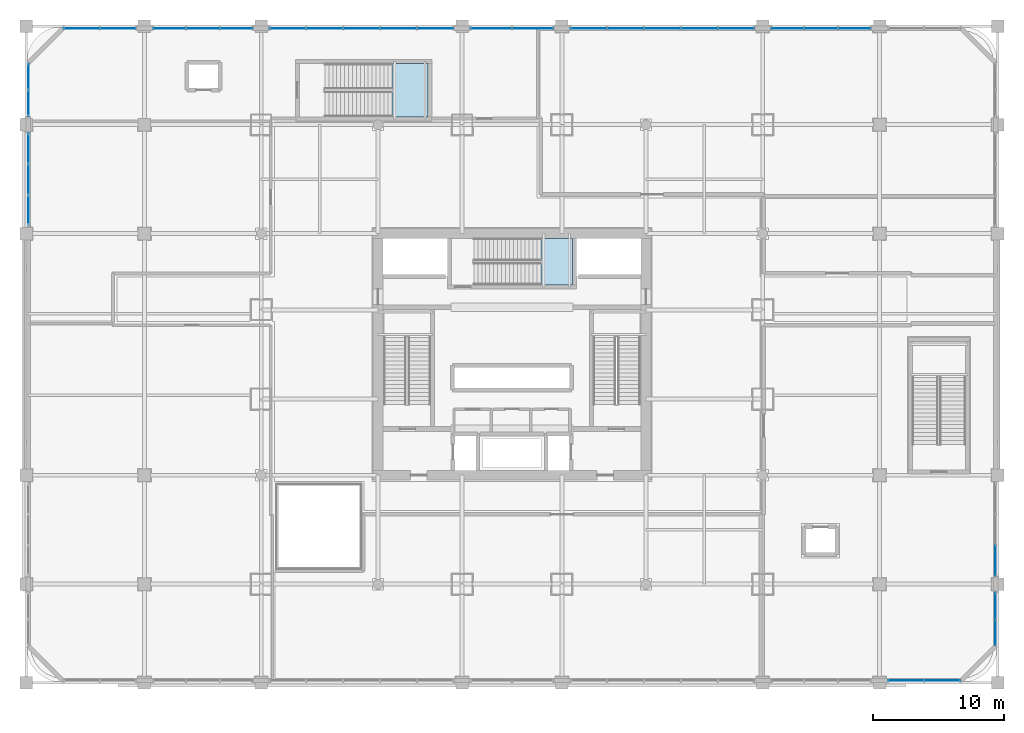
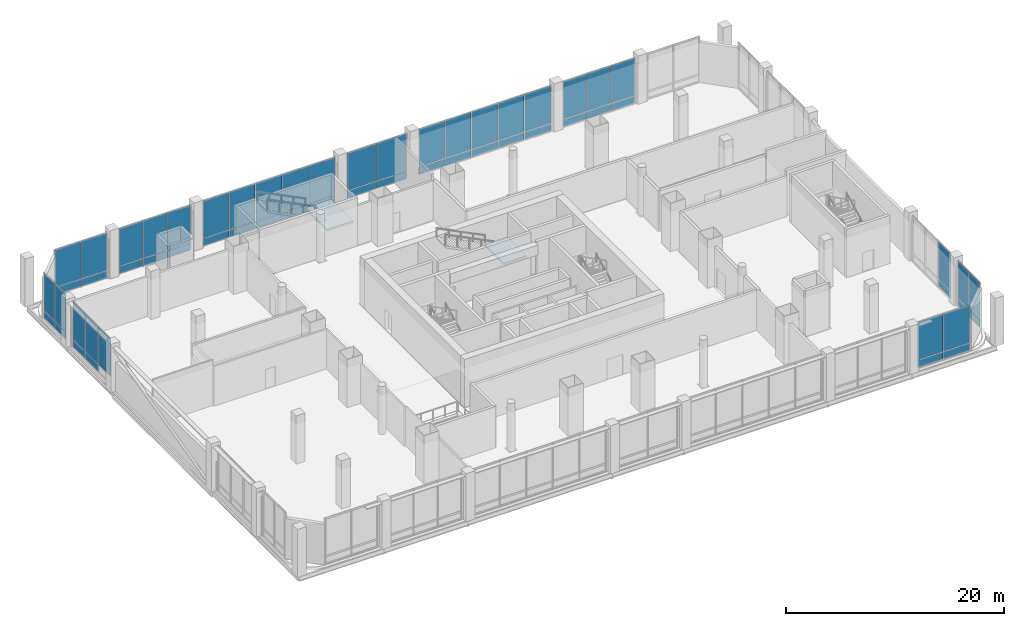
# One storey, part 23 of 39: 59 plates, 2 slabs, 13 elements without a shape of their own.
"""IFC4 building model written with IfcOpenShell, lengths in metres."""

import ifcopenshell
import ifcopenshell.guid

model = None  # the IFC model being written
_history = None  # IfcOwnerHistory: only IFC2X3 demands one
_inside = {}  # id of a spatial element -> (the spatial element, [elements in it])
_under = {}  # id of a project, library or spatial element -> (it, [spatial elements below it])
_declared = {}  # id of a project -> (the project, [libraries it declares])
_typed = {}  # id of a type object -> (the type object, [elements of that type])
_made_of = {}  # id of a material, layer set ... -> (it, [elements and type objects made of it])


def new_model(schema):
    """Start an empty IFC model of exactly this schema.

    Asked for "IFC4X3", IfcOpenShell would pick the latest addendum, in which some entities
    have other attributes; the version numbers below select the first issue.
    IFC2X3 requires an IfcOwnerHistory on every rooted entity: one is made here for all.
    """
    global model, _history
    if schema == "IFC4X3":
        model = ifcopenshell.file(schema_version=(4, 3, 0, 0))
    else:
        model = ifcopenshell.file(schema=schema)
    _inside.clear()
    _under.clear()
    _declared.clear()
    _typed.clear()
    _made_of.clear()
    _history = None
    if model.schema == "IFC2X3":
        org = make("IfcOrganization", Name="unknown")
        user = make(
            "IfcPersonAndOrganization",
            ThePerson=make("IfcPerson", FamilyName="unknown"),
            TheOrganization=org,
        )
        app = make(
            "IfcApplication",
            ApplicationDeveloper=org,
            Version="unknown",
            ApplicationFullName="unknown",
            ApplicationIdentifier="unknown",
        )
        _history = make(
            "IfcOwnerHistory",
            OwningUser=user,
            OwningApplication=app,
            ChangeAction="ADDED",
            CreationDate=0,
        )
    return model


def make(cls, **values):
    """One entity of the class cls with the attributes given. An attribute that is None is left unset."""
    return model.create_entity(
        cls, **{name: value for name, value in values.items() if value is not None}
    )


def rooted(cls, **values):
    """An entity with a GlobalId (a new one), such as an element, a storey or a relation."""
    return make(cls, GlobalId=ifcopenshell.guid.new(), OwnerHistory=_history, **values)


def si_unit(unit_type, name, prefix=None):
    """IfcSIUnit, for example si_unit("LENGTHUNIT", "METRE", prefix="MILLI")."""
    return make("IfcSIUnit", UnitType=unit_type, Prefix=prefix, Name=name)


def assignment(units):
    """IfcUnitAssignment: the units of a project."""
    return None if units is None else make("IfcUnitAssignment", Units=units)


def point(xyz):
    """IfcCartesianPoint."""
    return None if xyz is None else make("IfcCartesianPoint", Coordinates=xyz)


def direction(xyz):
    """IfcDirection."""
    return None if xyz is None else make("IfcDirection", DirectionRatios=xyz)


def frame(location, z_axis=None, x_axis=None):
    """IfcAxis2Placement3D, a coordinate frame: its origin and axes. An axis left out is left unset."""
    return make(
        "IfcAxis2Placement3D",
        Location=point(location),
        Axis=direction(z_axis),
        RefDirection=direction(x_axis),
    )


def frame_2d(location, x_axis=None):
    """IfcAxis2Placement2D, a coordinate frame in the plane: its origin and x axis."""
    return make(
        "IfcAxis2Placement2D", Location=point(location), RefDirection=direction(x_axis)
    )


def origin():
    """The frame at (0, 0, 0) with its axes left unset."""
    return frame((0.0, 0.0, 0.0))


def origin_2d():
    """The frame at (0, 0) in the plane with its x axis left unset."""
    return frame_2d((0.0, 0.0))


def place(relative_to, where):
    """IfcLocalPlacement: puts the frame where relative to a parent placement (None: the world)."""
    return make(
        "IfcLocalPlacement", PlacementRelTo=relative_to, RelativePlacement=where
    )


def context(
    kind, dimensions, precision=None, world=None, true_north=None, identifier=None
):
    """IfcGeometricRepresentationContext, for example the 3D "Model" context."""
    return make(
        "IfcGeometricRepresentationContext",
        ContextIdentifier=identifier,
        ContextType=kind,
        CoordinateSpaceDimension=dimensions,
        Precision=precision,
        WorldCoordinateSystem=world,
        TrueNorth=true_north,
    )


def subcontext(parent, identifier, kind, view, scale=None):
    """IfcGeometricRepresentationSubContext, for example "Body" below "Model"."""
    return make(
        "IfcGeometricRepresentationSubContext",
        ContextIdentifier=identifier,
        ContextType=kind,
        ParentContext=parent,
        TargetScale=scale,
        TargetView=view,
    )


def project(units=None, contexts=None):
    """IfcProject with its units and contexts."""
    return rooted(
        "IfcProject",
        Name="project",
        RepresentationContexts=contexts,
        UnitsInContext=assignment(units),
    )


def spatial(cls, under=None, at=None, **own):
    """A site, building, storey or space (cls), placed at a placement, below another one or the project."""
    s = rooted(cls, ObjectPlacement=at, **own)
    if under is not None:
        _under.setdefault(under.id(), (under, []))[1].append(s)
    return s


def polyline(points):
    """IfcPolyline through the points."""
    return make("IfcPolyline", Points=[point(p) for p in points])


def profile(cls, at=None, kind="AREA", **sizes):
    """A parametric profile (cls). Its sizes go by their IFC names, for example OverallWidth=200.0."""
    return make(cls, ProfileType=kind, Position=at, **sizes)


def rectangle(**sizes):
    """IfcRectangleProfileDef."""
    return profile("IfcRectangleProfileDef", **sizes)


def outline(outer, holes=None, kind="AREA"):
    """IfcArbitraryClosedProfileDef: a profile drawn as a closed curve; with holes, ...WithVoids."""
    if holes is None:
        return make("IfcArbitraryClosedProfileDef", ProfileType=kind, OuterCurve=outer)
    return make(
        "IfcArbitraryProfileDefWithVoids",
        ProfileType=kind,
        OuterCurve=outer,
        InnerCurves=holes,
    )


def extrude(swept, where, along, depth):
    """IfcExtrudedAreaSolid: the profile swept, set in the frame where, extruded along a direction by depth."""
    return make(
        "IfcExtrudedAreaSolid",
        SweptArea=swept,
        Position=where,
        ExtrudedDirection=direction(along),
        Depth=depth,
    )


def shape(context_of_items, identifier, shape_type, items):
    """IfcShapeRepresentation: the items that make up one representation, for example the "Body"."""
    return make(
        "IfcShapeRepresentation",
        ContextOfItems=context_of_items,
        RepresentationIdentifier=identifier,
        RepresentationType=shape_type,
        Items=items,
    )


def material(Name=None, Category=None):
    """IfcMaterial."""
    return make("IfcMaterial", Name=Name, Category=Category)


def layer(
    of_material, thickness, ventilated=None, Name=None, Category=None, Priority=None
):
    """IfcMaterialLayer: one layer of a wall or slab, of a material (None: an air gap)."""
    return make(
        "IfcMaterialLayer",
        Material=of_material,
        LayerThickness=thickness,
        IsVentilated=ventilated,
        Name=Name,
        Category=Category,
        Priority=Priority,
    )


def layer_set(layers, Name=None):
    """IfcMaterialLayerSet."""
    return make("IfcMaterialLayerSet", MaterialLayers=layers, LayerSetName=Name)


def made_of(thing, what):
    """Note that an element or type object is made of a material, layer set ...; save() writes the relation."""
    if what is not None:
        _made_of.setdefault(what.id(), (what, []))[1].append(thing)
    return thing


def type_object(cls, material=None, **own):
    """A type object (cls), such as IfcWallType, which elements share."""
    return made_of(rooted(cls, **own), material)


def element(
    cls,
    number,
    at=None,
    inside=None,
    cuts=None,
    type_object=None,
    material=None,
    context=None,
    identifier="Body",
    shape_type=None,
    held_by="IfcProductDefinitionShape",
    body=None,
    shapes=None,
    **own,
):
    """One element of the class cls, such as IfcWall. Its Tag is "e" and its number.

    at: its placement. inside: the storey or other place that contains it. cuts: it is an
    opening in that element (IfcRelVoidsElement). A single representation is given by context,
    identifier, shape_type and body (its items); several are given by shapes. held_by: the class
    of the entity that holds the representations. save() writes the other relations.
    """
    e = rooted(cls, Tag="e%d" % number, ObjectPlacement=at, **own)
    if body is not None:
        shapes = [shape(context, identifier, shape_type, body)]
    if shapes is not None:
        e.Representation = make(held_by, Representations=shapes)
    if inside is not None:
        _inside.setdefault(inside.id(), (inside, []))[1].append(e)
    if cuts is not None:
        rooted(
            "IfcRelVoidsElement", RelatingBuildingElement=cuts, RelatedOpeningElement=e
        )
    if type_object is not None:
        _typed.setdefault(type_object.id(), (type_object, []))[1].append(e)
    return made_of(e, material)


def aggregate(whole, parts):
    """IfcRelAggregates: a whole, such as a stair, and the parts it consists of."""
    return rooted("IfcRelAggregates", RelatingObject=whole, RelatedObjects=parts)


def save(model, path):
    """Write the relations noted so far, then the file.

    IfcRelAggregates (storeys below a building ...), IfcRelContainedInSpatialStructure (elements
    in a storey), IfcRelDefinesByType, IfcRelAssociatesMaterial and IfcRelDeclares: one each for
    every whole, place, type object, material and project.
    """
    for whole, parts in _under.values():
        aggregate(whole, parts)
    for where, things in _inside.values():
        rooted(
            "IfcRelContainedInSpatialStructure",
            RelatedElements=things,
            RelatingStructure=where,
        )
    for kind, things in _typed.values():
        rooted("IfcRelDefinesByType", RelatedObjects=things, RelatingType=kind)
    for what, things in _made_of.values():
        rooted("IfcRelAssociatesMaterial", RelatedObjects=things, RelatingMaterial=what)
    for by, libraries in _declared.values():
        rooted("IfcRelDeclares", RelatingContext=by, RelatedDefinitions=libraries)
    model.write(path)


model = new_model("IFC4")

# Units and contexts
model_context = context("Model", 3, precision=1e-05, world=origin(), true_north=direction((0.0, 1.0)))
body_context = subcontext(model_context, "Body", "Model", "MODEL_VIEW")
ifc_project = project(units=[si_unit("LENGTHUNIT", "METRE"), si_unit("AREAUNIT", "SQUARE_METRE"), si_unit("VOLUMEUNIT", "CUBIC_METRE"), si_unit("PLANEANGLEUNIT", "RADIAN"), si_unit("MASSUNIT", "GRAM", prefix="KILO")], contexts=[model_context])

# Site, building, storey
site_placement = place(None, origin())
site = spatial("IfcSite", under=ifc_project, at=site_placement, CompositionType="ELEMENT")
building_placement = place(site_placement, origin())
building = spatial("IfcBuilding", under=site, at=building_placement, Name="Punatoya Terracotta Tower", CompositionType="ELEMENT")
storey_placement = place(building_placement, frame((0.0, 0.0, 11.39990234375)))
storey = spatial("IfcBuildingStorey", under=building, at=storey_placement, Name="L02", CompositionType="ELEMENT", Elevation=11.39990234375)

# Curtain wall, plates
ifc_material_1 = material(Name="Aluminium 6063-T6 + Double Low-E Glass", Category="aluminium")
curtain_wall_type = type_object("IfcCurtainWallType", Name="CW-POD", PredefinedType="NOTDEFINED", material=ifc_material_1)
curtain_wall_1_placement = place(storey_placement, origin())
curtain_wall_1 = element("IfcCurtainWall", 1, at=curtain_wall_1_placement, inside=storey, type_object=curtain_wall_type, Name="L02 Curtain Wall CWP-L02-N1", PredefinedType="NOTDEFINED")
ifc_material_2 = material(Name="Double Low-E Clear Vision Glass", Category="glass")
ifc_layer_1 = layer(ifc_material_2, 0.028076171875)
ifc_layer_set_1 = layer_set([ifc_layer_1], Name="Double Low-E Clear Vision Glass")
plate_type_1 = type_object("IfcPlateType", Name="PLT-GLZ-28", PredefinedType="CURTAIN_PANEL", material=ifc_layer_set_1)
plate_1_placement = place(storey_placement, frame((-30.014892578125, 24.840087890625, 0.89013671875), z_axis=(0.0, 0.0, 1.0), x_axis=(-1.0, 0.0, 0.0)))
plate_1 = element("IfcPlate", 2, at=plate_1_placement, type_object=plate_type_1, Name="CWP-L02-N1 Vision Glass Panel 1", PredefinedType="CURTAIN_PANEL", context=body_context, shape_type="SweptSolid", body=[
    extrude(rectangle(XDim=2.705078125, YDim=0.028076171875, at=origin_2d()), origin(), (0.0, 0.0, 1.0), 4.18994140625),
])
plate_2_placement = place(storey_placement, frame((-32.804931640625, 24.840087890625, 0.89013671875), z_axis=(0.0, 0.0, 1.0), x_axis=(-1.0, 0.0, 0.0)))
plate_2 = element("IfcPlate", 3, at=plate_2_placement, type_object=plate_type_1, Name="CWP-L02-N1 Vision Glass Panel 2", PredefinedType="CURTAIN_PANEL", context=body_context, shape_type="SweptSolid", body=[
    extrude(rectangle(XDim=2.705078125, YDim=0.028076171875, at=origin_2d()), origin(), (0.0, 0.0, 1.0), 4.18994140625),
])

curtain_wall_2_placement = place(storey_placement, origin())
curtain_wall_2 = element("IfcCurtainWall", 4, at=curtain_wall_2_placement, inside=storey, type_object=curtain_wall_type, Name="L02 Curtain Wall CWP-L02-N2", PredefinedType="NOTDEFINED")
plate_3_placement = place(storey_placement, frame((-20.99658203125, 24.840087890625, 0.89013671875), z_axis=(0.0, 0.0, 1.0), x_axis=(-1.0, 0.0, 0.0)))
plate_3 = element("IfcPlate", 5, at=plate_3_placement, type_object=plate_type_1, Name="CWP-L02-N2 Vision Glass Panel 1", PredefinedType="CURTAIN_PANEL", context=body_context, shape_type="SweptSolid", body=[
    extrude(rectangle(XDim=2.46826171875, YDim=0.028076171875, at=origin_2d()), origin(), (0.0, 0.0, 1.0), 4.18994140625),
])
plate_4_placement = place(storey_placement, frame((-23.550048828125, 24.840087890625, 0.89013671875), z_axis=(0.0, 0.0, 1.0), x_axis=(-1.0, 0.0, 0.0)))
plate_4 = element("IfcPlate", 6, at=plate_4_placement, type_object=plate_type_1, Name="CWP-L02-N2 Vision Glass Panel 2", PredefinedType="CURTAIN_PANEL", context=body_context, shape_type="SweptSolid", body=[
    extrude(rectangle(XDim=2.46826171875, YDim=0.028076171875, at=origin_2d()), origin(), (0.0, 0.0, 1.0), 4.18994140625),
])
plate_5_placement = place(storey_placement, frame((-26.103271484375, 24.840087890625, 0.89013671875), z_axis=(0.0, 0.0, 1.0), x_axis=(-1.0, 0.0, 0.0)))
plate_5 = element("IfcPlate", 7, at=plate_5_placement, type_object=plate_type_1, Name="CWP-L02-N2 Vision Glass Panel 3", PredefinedType="CURTAIN_PANEL", context=body_context, shape_type="SweptSolid", body=[
    extrude(rectangle(XDim=2.46826171875, YDim=0.028076171875, at=origin_2d()), origin(), (0.0, 0.0, 1.0), 4.18994140625),
])

curtain_wall_3_placement = place(storey_placement, origin())
curtain_wall_3 = element("IfcCurtainWall", 8, at=curtain_wall_3_placement, inside=storey, type_object=curtain_wall_type, Name="L02 Curtain Wall CWP-L02-N3", PredefinedType="NOTDEFINED")
plate_6_placement = place(storey_placement, frame((-5.825927734375, 24.840087890625, 0.89013671875), z_axis=(0.0, 0.0, 1.0), x_axis=(-1.0, 0.0, 0.0)))
plate_6 = element("IfcPlate", 9, at=plate_6_placement, type_object=plate_type_1, Name="CWP-L02-N3 Vision Glass Panel 1", PredefinedType="CURTAIN_PANEL", context=body_context, shape_type="SweptSolid", body=[
    extrude(rectangle(XDim=2.72705078125, YDim=0.028076171875, at=origin_2d()), origin(), (0.0, 0.0, 1.0), 4.18994140625),
])
plate_7_placement = place(storey_placement, frame((-8.637939453125, 24.840087890625, 0.89013671875), z_axis=(0.0, 0.0, 1.0), x_axis=(-1.0, 0.0, 0.0)))
plate_7 = element("IfcPlate", 10, at=plate_7_placement, type_object=plate_type_1, Name="CWP-L02-N3 Vision Glass Panel 2", PredefinedType="CURTAIN_PANEL", context=body_context, shape_type="SweptSolid", body=[
    extrude(rectangle(XDim=2.72705078125, YDim=0.028076171875, at=origin_2d()), origin(), (0.0, 0.0, 1.0), 4.18994140625),
])
plate_8_placement = place(storey_placement, frame((-11.449951171875, 24.840087890625, 0.89013671875), z_axis=(0.0, 0.0, 1.0), x_axis=(-1.0, 0.0, 0.0)))
plate_8 = element("IfcPlate", 11, at=plate_8_placement, type_object=plate_type_1, Name="CWP-L02-N3 Vision Glass Panel 3", PredefinedType="CURTAIN_PANEL", context=body_context, shape_type="SweptSolid", body=[
    extrude(rectangle(XDim=2.72705078125, YDim=0.028076171875, at=origin_2d()), origin(), (0.0, 0.0, 1.0), 4.18994140625),
])
plate_9_placement = place(storey_placement, frame((-14.261962890625, 24.840087890625, 0.89013671875), z_axis=(0.0, 0.0, 1.0), x_axis=(-1.0, 0.0, 0.0)))
plate_9 = element("IfcPlate", 12, at=plate_9_placement, type_object=plate_type_1, Name="CWP-L02-N3 Vision Glass Panel 4", PredefinedType="CURTAIN_PANEL", context=body_context, shape_type="SweptSolid", body=[
    extrude(rectangle(XDim=2.72705078125, YDim=0.028076171875, at=origin_2d()), origin(), (0.0, 0.0, 1.0), 4.18994140625),
])
plate_10_placement = place(storey_placement, frame((-17.073974609375, 24.840087890625, 0.89013671875), z_axis=(0.0, 0.0, 1.0), x_axis=(-1.0, 0.0, 0.0)))
plate_10 = element("IfcPlate", 13, at=plate_10_placement, type_object=plate_type_1, Name="CWP-L02-N3 Vision Glass Panel 5", PredefinedType="CURTAIN_PANEL", context=body_context, shape_type="SweptSolid", body=[
    extrude(rectangle(XDim=2.72705078125, YDim=0.028076171875, at=origin_2d()), origin(), (0.0, 0.0, 1.0), 4.18994140625),
])

curtain_wall_4_placement = place(storey_placement, origin())
curtain_wall_4 = element("IfcCurtainWall", 14, at=curtain_wall_4_placement, inside=storey, type_object=curtain_wall_type, Name="L02 Curtain Wall CWP-L02-N4", PredefinedType="NOTDEFINED")
plate_11_placement = place(storey_placement, frame((1.590087890625, 24.840087890625, 0.89013671875), z_axis=(0.0, 0.0, 1.0), x_axis=(-1.0, 0.0, 0.0)))
plate_11 = element("IfcPlate", 15, at=plate_11_placement, type_object=plate_type_1, Name="CWP-L02-N4 Vision Glass Panel 1", PredefinedType="CURTAIN_PANEL", context=body_context, shape_type="SweptSolid", body=[
    extrude(rectangle(XDim=3.094970703125, YDim=0.028076171875, at=origin_2d()), origin(), (0.0, 0.0, 1.0), 4.18994140625),
])
plate_12_placement = place(storey_placement, frame((-1.590087890625, 24.840087890625, 0.89013671875), z_axis=(0.0, 0.0, 1.0), x_axis=(-1.0, 0.0, 0.0)))
plate_12 = element("IfcPlate", 16, at=plate_12_placement, type_object=plate_type_1, Name="CWP-L02-N4 Vision Glass Panel 2", PredefinedType="CURTAIN_PANEL", context=body_context, shape_type="SweptSolid", body=[
    extrude(rectangle(XDim=3.094970703125, YDim=0.028076171875, at=origin_2d()), origin(), (0.0, 0.0, 1.0), 4.18994140625),
])

curtain_wall_5_placement = place(storey_placement, origin())
curtain_wall_5 = element("IfcCurtainWall", 17, at=curtain_wall_5_placement, inside=storey, type_object=curtain_wall_type, Name="L02 Curtain Wall CWP-L02-N5", PredefinedType="NOTDEFINED")
plate_13_placement = place(storey_placement, frame((17.073974609375, 24.840087890625, 0.89013671875), z_axis=(0.0, 0.0, 1.0), x_axis=(-1.0, 0.0, 0.0)))
plate_13 = element("IfcPlate", 18, at=plate_13_placement, type_object=plate_type_1, Name="CWP-L02-N5 Vision Glass Panel 1", PredefinedType="CURTAIN_PANEL", context=body_context, shape_type="SweptSolid", body=[
    extrude(rectangle(XDim=2.72705078125, YDim=0.028076171875, at=origin_2d()), origin(), (0.0, 0.0, 1.0), 4.18994140625),
])
plate_14_placement = place(storey_placement, frame((14.261962890625, 24.840087890625, 0.89013671875), z_axis=(0.0, 0.0, 1.0), x_axis=(-1.0, 0.0, 0.0)))
plate_14 = element("IfcPlate", 19, at=plate_14_placement, type_object=plate_type_1, Name="CWP-L02-N5 Vision Glass Panel 2", PredefinedType="CURTAIN_PANEL", context=body_context, shape_type="SweptSolid", body=[
    extrude(rectangle(XDim=2.72705078125, YDim=0.028076171875, at=origin_2d()), origin(), (0.0, 0.0, 1.0), 4.18994140625),
])
plate_15_placement = place(storey_placement, frame((11.449951171875, 24.840087890625, 0.89013671875), z_axis=(0.0, 0.0, 1.0), x_axis=(-1.0, 0.0, 0.0)))
plate_15 = element("IfcPlate", 20, at=plate_15_placement, type_object=plate_type_1, Name="CWP-L02-N5 Vision Glass Panel 3", PredefinedType="CURTAIN_PANEL", context=body_context, shape_type="SweptSolid", body=[
    extrude(rectangle(XDim=2.72705078125, YDim=0.028076171875, at=origin_2d()), origin(), (0.0, 0.0, 1.0), 4.18994140625),
])
plate_16_placement = place(storey_placement, frame((8.637939453125, 24.840087890625, 0.89013671875), z_axis=(0.0, 0.0, 1.0), x_axis=(-1.0, 0.0, 0.0)))
plate_16 = element("IfcPlate", 21, at=plate_16_placement, type_object=plate_type_1, Name="CWP-L02-N5 Vision Glass Panel 4", PredefinedType="CURTAIN_PANEL", context=body_context, shape_type="SweptSolid", body=[
    extrude(rectangle(XDim=2.72705078125, YDim=0.028076171875, at=origin_2d()), origin(), (0.0, 0.0, 1.0), 4.18994140625),
])
plate_17_placement = place(storey_placement, frame((5.825927734375, 24.840087890625, 0.89013671875), z_axis=(0.0, 0.0, 1.0), x_axis=(-1.0, 0.0, 0.0)))
plate_17 = element("IfcPlate", 22, at=plate_17_placement, type_object=plate_type_1, Name="CWP-L02-N5 Vision Glass Panel 5", PredefinedType="CURTAIN_PANEL", context=body_context, shape_type="SweptSolid", body=[
    extrude(rectangle(XDim=2.72705078125, YDim=0.028076171875, at=origin_2d()), origin(), (0.0, 0.0, 1.0), 4.18994140625),
])

curtain_wall_6_placement = place(storey_placement, origin())
curtain_wall_6 = element("IfcCurtainWall", 23, at=curtain_wall_6_placement, inside=storey, type_object=curtain_wall_type, Name="L02 Curtain Wall CWP-L02-N6", PredefinedType="NOTDEFINED")
plate_18_placement = place(storey_placement, frame((26.103271484375, 24.840087890625, 0.89013671875), z_axis=(0.0, 0.0, 1.0), x_axis=(-1.0, 0.0, 0.0)))
plate_18 = element("IfcPlate", 24, at=plate_18_placement, type_object=plate_type_1, Name="CWP-L02-N6 Vision Glass Panel 1", PredefinedType="CURTAIN_PANEL", context=body_context, shape_type="SweptSolid", body=[
    extrude(rectangle(XDim=2.46826171875, YDim=0.028076171875, at=origin_2d()), origin(), (0.0, 0.0, 1.0), 4.18994140625),
])
plate_19_placement = place(storey_placement, frame((23.550048828125, 24.840087890625, 0.89013671875), z_axis=(0.0, 0.0, 1.0), x_axis=(-1.0, 0.0, 0.0)))
plate_19 = element("IfcPlate", 25, at=plate_19_placement, type_object=plate_type_1, Name="CWP-L02-N6 Vision Glass Panel 2", PredefinedType="CURTAIN_PANEL", context=body_context, shape_type="SweptSolid", body=[
    extrude(rectangle(XDim=2.46826171875, YDim=0.028076171875, at=origin_2d()), origin(), (0.0, 0.0, 1.0), 4.18994140625),
])
plate_20_placement = place(storey_placement, frame((20.99658203125, 24.840087890625, 0.89013671875), z_axis=(0.0, 0.0, 1.0), x_axis=(-1.0, 0.0, 0.0)))
plate_20 = element("IfcPlate", 26, at=plate_20_placement, type_object=plate_type_1, Name="CWP-L02-N6 Vision Glass Panel 3", PredefinedType="CURTAIN_PANEL", context=body_context, shape_type="SweptSolid", body=[
    extrude(rectangle(XDim=2.46826171875, YDim=0.028076171875, at=origin_2d()), origin(), (0.0, 0.0, 1.0), 4.18994140625),
])

curtain_wall_7_placement = place(storey_placement, origin())
curtain_wall_7 = element("IfcCurtainWall", 27, at=curtain_wall_7_placement, inside=storey, type_object=curtain_wall_type, Name="L02 Curtain Wall CWP-L02-S7", PredefinedType="NOTDEFINED")
plate_21_placement = place(storey_placement, frame((30.014892578125, -24.840087890625, 0.89013671875), z_axis=(0.0, 0.0, 1.0), x_axis=(1.0, 0.0, 0.0)))
plate_21 = element("IfcPlate", 28, at=plate_21_placement, type_object=plate_type_1, Name="CWP-L02-S7 Vision Glass Panel 1", PredefinedType="CURTAIN_PANEL", context=body_context, shape_type="SweptSolid", body=[
    extrude(rectangle(XDim=2.705078125, YDim=0.028076171875, at=origin_2d()), origin(), (0.0, 0.0, 1.0), 4.18994140625),
])
plate_22_placement = place(storey_placement, frame((32.804931640625, -24.840087890625, 0.89013671875), z_axis=(0.0, 0.0, 1.0), x_axis=(1.0, 0.0, 0.0)))
plate_22 = element("IfcPlate", 29, at=plate_22_placement, type_object=plate_type_1, Name="CWP-L02-S7 Vision Glass Panel 2", PredefinedType="CURTAIN_PANEL", context=body_context, shape_type="SweptSolid", body=[
    extrude(rectangle(XDim=2.705078125, YDim=0.028076171875, at=origin_2d()), origin(), (0.0, 0.0, 1.0), 4.18994140625),
])

curtain_wall_8_placement = place(storey_placement, origin())
curtain_wall_8 = element("IfcCurtainWall", 30, at=curtain_wall_8_placement, inside=storey, type_object=curtain_wall_type, Name="L02 Curtain Wall CWP-L02-W3", PredefinedType="NOTDEFINED")
plate_23_placement = place(storey_placement, frame((-36.840087890625, 10.99658203125, 0.89013671875), z_axis=(0.0, 0.0, 1.0), x_axis=(0.0, 1.0, 0.0)))
plate_23 = element("IfcPlate", 31, at=plate_23_placement, type_object=plate_type_1, Name="CWP-L02-W3 Vision Glass Panel 1", PredefinedType="CURTAIN_PANEL", context=body_context, shape_type="SweptSolid", body=[
    extrude(rectangle(XDim=2.268310546875, YDim=0.028076171875, at=origin_2d()), origin(), (0.0, 0.0, 1.0), 4.18994140625),
])
plate_24_placement = place(storey_placement, frame((-36.840087890625, 13.35009765625, 0.89013671875), z_axis=(0.0, 0.0, 1.0), x_axis=(0.0, 1.0, 0.0)))
plate_24 = element("IfcPlate", 32, at=plate_24_placement, type_object=plate_type_1, Name="CWP-L02-W3 Vision Glass Panel 2", PredefinedType="CURTAIN_PANEL", context=body_context, shape_type="SweptSolid", body=[
    extrude(rectangle(XDim=2.268310546875, YDim=0.028076171875, at=origin_2d()), origin(), (0.0, 0.0, 1.0), 4.18994140625),
])
plate_25_placement = place(storey_placement, frame((-36.840087890625, 15.703369140625, 0.89013671875), z_axis=(0.0, 0.0, 1.0), x_axis=(0.0, 1.0, 0.0)))
plate_25 = element("IfcPlate", 33, at=plate_25_placement, type_object=plate_type_1, Name="CWP-L02-W3 Vision Glass Panel 3", PredefinedType="CURTAIN_PANEL", context=body_context, shape_type="SweptSolid", body=[
    extrude(rectangle(XDim=2.268310546875, YDim=0.028076171875, at=origin_2d()), origin(), (0.0, 0.0, 1.0), 4.18994140625),
])

curtain_wall_9_placement = place(storey_placement, origin())
curtain_wall_9 = element("IfcCurtainWall", 34, at=curtain_wall_9_placement, inside=storey, type_object=curtain_wall_type, Name="L02 Curtain Wall CWP-L02-W4", PredefinedType="NOTDEFINED")
plate_26_placement = place(storey_placement, frame((-36.840087890625, 19.139892578125, 0.89013671875), z_axis=(0.0, 0.0, 1.0), x_axis=(0.0, 1.0, 0.0)))
plate_26 = element("IfcPlate", 35, at=plate_26_placement, type_object=plate_type_1, Name="CWP-L02-W4 Vision Glass Panel 1", PredefinedType="CURTAIN_PANEL", context=body_context, shape_type="SweptSolid", body=[
    extrude(rectangle(XDim=1.955078125, YDim=0.028076171875, at=origin_2d()), origin(), (0.0, 0.0, 1.0), 4.18994140625),
])
plate_27_placement = place(storey_placement, frame((-36.840087890625, 21.179931640625, 0.89013671875), z_axis=(0.0, 0.0, 1.0), x_axis=(0.0, 1.0, 0.0)))
plate_27 = element("IfcPlate", 36, at=plate_27_placement, type_object=plate_type_1, Name="CWP-L02-W4 Vision Glass Panel 2", PredefinedType="CURTAIN_PANEL", context=body_context, shape_type="SweptSolid", body=[
    extrude(rectangle(XDim=1.955078125, YDim=0.028076171875, at=origin_2d()), origin(), (0.0, 0.0, 1.0), 4.18994140625),
])

curtain_wall_10_placement = place(storey_placement, origin())
curtain_wall_10 = element("IfcCurtainWall", 37, at=curtain_wall_10_placement, inside=storey, type_object=curtain_wall_type, Name="L02 Curtain Wall CWP-L02-E1", PredefinedType="NOTDEFINED")
plate_28_placement = place(storey_placement, frame((36.840087890625, -19.139892578125, 0.89013671875), z_axis=(0.0, 0.0, 1.0), x_axis=(0.0, -1.0, 0.0)))
plate_28 = element("IfcPlate", 38, at=plate_28_placement, type_object=plate_type_1, Name="CWP-L02-E1 Vision Glass Panel 1", PredefinedType="CURTAIN_PANEL", context=body_context, shape_type="SweptSolid", body=[
    extrude(rectangle(XDim=1.955078125, YDim=0.028076171875, at=origin_2d()), origin(), (0.0, 0.0, 1.0), 4.18994140625),
])
plate_29_placement = place(storey_placement, frame((36.840087890625, -21.179931640625, 0.89013671875), z_axis=(0.0, 0.0, 1.0), x_axis=(0.0, -1.0, 0.0)))
plate_29 = element("IfcPlate", 39, at=plate_29_placement, type_object=plate_type_1, Name="CWP-L02-E1 Vision Glass Panel 2", PredefinedType="CURTAIN_PANEL", context=body_context, shape_type="SweptSolid", body=[
    extrude(rectangle(XDim=1.955078125, YDim=0.028076171875, at=origin_2d()), origin(), (0.0, 0.0, 1.0), 4.18994140625),
])

# Curtain wall, plate
curtain_wall_11_placement = place(storey_placement, origin())
curtain_wall_11 = element("IfcCurtainWall", 40, at=curtain_wall_11_placement, inside=storey, type_object=curtain_wall_type, Name="L02 Curtain Wall CWP-L02-E2", PredefinedType="NOTDEFINED")
plate_30_placement = place(storey_placement, frame((36.840087890625, -15.703369140625, 0.89013671875), z_axis=(0.0, 0.0, 1.0), x_axis=(0.0, -1.0, 0.0)))
plate_30 = element("IfcPlate", 41, at=plate_30_placement, type_object=plate_type_1, Name="CWP-L02-E2 Vision Glass Panel 3", PredefinedType="CURTAIN_PANEL", context=body_context, shape_type="SweptSolid", body=[
    extrude(rectangle(XDim=2.268310546875, YDim=0.028076171875, at=origin_2d()), origin(), (0.0, 0.0, 1.0), 4.18994140625),
])

# Plate
ifc_material_3 = material(Name="Insulated Terracotta-Backed Spandrel Panel", Category="masonry")
ifc_layer_2 = layer(ifc_material_3, 0.044921875)
ifc_layer_set_2 = layer_set([ifc_layer_2], Name="Insulated Terracotta-Backed Spandrel Panel")
plate_type_2 = type_object("IfcPlateType", Name="PLT-SPN-45", PredefinedType="CURTAIN_PANEL", material=ifc_layer_set_2)
plate_31_placement = place(storey_placement, frame((-30.014892578125, 24.840087890625, 0.0400390625), z_axis=(0.0, 0.0, 1.0), x_axis=(-1.0, 0.0, 0.0)))
plate_31 = element("IfcPlate", 42, at=plate_31_placement, type_object=plate_type_2, Name="CWP-L02-N1 Terracotta Spandrel Panel 1", PredefinedType="CURTAIN_PANEL", context=body_context, shape_type="SweptSolid", body=[
    extrude(rectangle(XDim=2.705078125, YDim=0.044921875, at=origin_2d()), origin(), (0.0, 0.0, 1.0), 0.77490234375),
])

plate_32_placement = place(storey_placement, frame((-32.804931640625, 24.840087890625, 0.0400390625), z_axis=(0.0, 0.0, 1.0), x_axis=(-1.0, 0.0, 0.0)))
plate_32 = element("IfcPlate", 43, at=plate_32_placement, type_object=plate_type_2, Name="CWP-L02-N1 Terracotta Spandrel Panel 2", PredefinedType="CURTAIN_PANEL", context=body_context, shape_type="SweptSolid", body=[
    extrude(rectangle(XDim=2.705078125, YDim=0.044921875, at=origin_2d()), origin(), (0.0, 0.0, 1.0), 0.77490234375),
])

aggregate(curtain_wall_1, [plate_31, plate_1, plate_32, plate_2])

plate_33_placement = place(storey_placement, frame((-20.99658203125, 24.840087890625, 0.0400390625), z_axis=(0.0, 0.0, 1.0), x_axis=(-1.0, 0.0, 0.0)))
plate_33 = element("IfcPlate", 44, at=plate_33_placement, type_object=plate_type_2, Name="CWP-L02-N2 Terracotta Spandrel Panel 1", PredefinedType="CURTAIN_PANEL", context=body_context, shape_type="SweptSolid", body=[
    extrude(rectangle(XDim=2.46826171875, YDim=0.044921875, at=origin_2d()), origin(), (0.0, 0.0, 1.0), 0.77490234375),
])

plate_34_placement = place(storey_placement, frame((-23.550048828125, 24.840087890625, 0.0400390625), z_axis=(0.0, 0.0, 1.0), x_axis=(-1.0, 0.0, 0.0)))
plate_34 = element("IfcPlate", 45, at=plate_34_placement, type_object=plate_type_2, Name="CWP-L02-N2 Terracotta Spandrel Panel 2", PredefinedType="CURTAIN_PANEL", context=body_context, shape_type="SweptSolid", body=[
    extrude(rectangle(XDim=2.46826171875, YDim=0.044921875, at=origin_2d()), origin(), (0.0, 0.0, 1.0), 0.77490234375),
])

plate_35_placement = place(storey_placement, frame((-26.103271484375, 24.840087890625, 0.0400390625), z_axis=(0.0, 0.0, 1.0), x_axis=(-1.0, 0.0, 0.0)))
plate_35 = element("IfcPlate", 46, at=plate_35_placement, type_object=plate_type_2, Name="CWP-L02-N2 Terracotta Spandrel Panel 3", PredefinedType="CURTAIN_PANEL", context=body_context, shape_type="SweptSolid", body=[
    extrude(rectangle(XDim=2.46826171875, YDim=0.044921875, at=origin_2d()), origin(), (0.0, 0.0, 1.0), 0.77490234375),
])

aggregate(curtain_wall_2, [plate_33, plate_3, plate_34, plate_4, plate_35, plate_5])

plate_36_placement = place(storey_placement, frame((-5.825927734375, 24.840087890625, 0.0400390625), z_axis=(0.0, 0.0, 1.0), x_axis=(-1.0, 0.0, 0.0)))
plate_36 = element("IfcPlate", 47, at=plate_36_placement, type_object=plate_type_2, Name="CWP-L02-N3 Terracotta Spandrel Panel 1", PredefinedType="CURTAIN_PANEL", context=body_context, shape_type="SweptSolid", body=[
    extrude(rectangle(XDim=2.72705078125, YDim=0.044921875, at=origin_2d()), origin(), (0.0, 0.0, 1.0), 0.77490234375),
])

plate_37_placement = place(storey_placement, frame((-8.637939453125, 24.840087890625, 0.0400390625), z_axis=(0.0, 0.0, 1.0), x_axis=(-1.0, 0.0, 0.0)))
plate_37 = element("IfcPlate", 48, at=plate_37_placement, type_object=plate_type_2, Name="CWP-L02-N3 Terracotta Spandrel Panel 2", PredefinedType="CURTAIN_PANEL", context=body_context, shape_type="SweptSolid", body=[
    extrude(rectangle(XDim=2.72705078125, YDim=0.044921875, at=origin_2d()), origin(), (0.0, 0.0, 1.0), 0.77490234375),
])

plate_38_placement = place(storey_placement, frame((-11.449951171875, 24.840087890625, 0.0400390625), z_axis=(0.0, 0.0, 1.0), x_axis=(-1.0, 0.0, 0.0)))
plate_38 = element("IfcPlate", 49, at=plate_38_placement, type_object=plate_type_2, Name="CWP-L02-N3 Terracotta Spandrel Panel 3", PredefinedType="CURTAIN_PANEL", context=body_context, shape_type="SweptSolid", body=[
    extrude(rectangle(XDim=2.72705078125, YDim=0.044921875, at=origin_2d()), origin(), (0.0, 0.0, 1.0), 0.77490234375),
])

plate_39_placement = place(storey_placement, frame((-14.261962890625, 24.840087890625, 0.0400390625), z_axis=(0.0, 0.0, 1.0), x_axis=(-1.0, 0.0, 0.0)))
plate_39 = element("IfcPlate", 50, at=plate_39_placement, type_object=plate_type_2, Name="CWP-L02-N3 Terracotta Spandrel Panel 4", PredefinedType="CURTAIN_PANEL", context=body_context, shape_type="SweptSolid", body=[
    extrude(rectangle(XDim=2.72705078125, YDim=0.044921875, at=origin_2d()), origin(), (0.0, 0.0, 1.0), 0.77490234375),
])

plate_40_placement = place(storey_placement, frame((-17.073974609375, 24.840087890625, 0.0400390625), z_axis=(0.0, 0.0, 1.0), x_axis=(-1.0, 0.0, 0.0)))
plate_40 = element("IfcPlate", 51, at=plate_40_placement, type_object=plate_type_2, Name="CWP-L02-N3 Terracotta Spandrel Panel 5", PredefinedType="CURTAIN_PANEL", context=body_context, shape_type="SweptSolid", body=[
    extrude(rectangle(XDim=2.72705078125, YDim=0.044921875, at=origin_2d()), origin(), (0.0, 0.0, 1.0), 0.77490234375),
])

aggregate(curtain_wall_3, [plate_36, plate_6, plate_37, plate_7, plate_38, plate_8, plate_39, plate_9, plate_40, plate_10])

plate_41_placement = place(storey_placement, frame((1.590087890625, 24.840087890625, 0.0400390625), z_axis=(0.0, 0.0, 1.0), x_axis=(-1.0, 0.0, 0.0)))
plate_41 = element("IfcPlate", 52, at=plate_41_placement, type_object=plate_type_2, Name="CWP-L02-N4 Terracotta Spandrel Panel 1", PredefinedType="CURTAIN_PANEL", context=body_context, shape_type="SweptSolid", body=[
    extrude(rectangle(XDim=3.094970703125, YDim=0.044921875, at=origin_2d()), origin(), (0.0, 0.0, 1.0), 0.77490234375),
])

plate_42_placement = place(storey_placement, frame((-1.590087890625, 24.840087890625, 0.0400390625), z_axis=(0.0, 0.0, 1.0), x_axis=(-1.0, 0.0, 0.0)))
plate_42 = element("IfcPlate", 53, at=plate_42_placement, type_object=plate_type_2, Name="CWP-L02-N4 Terracotta Spandrel Panel 2", PredefinedType="CURTAIN_PANEL", context=body_context, shape_type="SweptSolid", body=[
    extrude(rectangle(XDim=3.094970703125, YDim=0.044921875, at=origin_2d()), origin(), (0.0, 0.0, 1.0), 0.77490234375),
])

aggregate(curtain_wall_4, [plate_41, plate_11, plate_42, plate_12])

plate_43_placement = place(storey_placement, frame((17.073974609375, 24.840087890625, 0.0400390625), z_axis=(0.0, 0.0, 1.0), x_axis=(-1.0, 0.0, 0.0)))
plate_43 = element("IfcPlate", 54, at=plate_43_placement, type_object=plate_type_2, Name="CWP-L02-N5 Terracotta Spandrel Panel 1", PredefinedType="CURTAIN_PANEL", context=body_context, shape_type="SweptSolid", body=[
    extrude(rectangle(XDim=2.72705078125, YDim=0.044921875, at=origin_2d()), origin(), (0.0, 0.0, 1.0), 0.77490234375),
])

plate_44_placement = place(storey_placement, frame((14.261962890625, 24.840087890625, 0.0400390625), z_axis=(0.0, 0.0, 1.0), x_axis=(-1.0, 0.0, 0.0)))
plate_44 = element("IfcPlate", 55, at=plate_44_placement, type_object=plate_type_2, Name="CWP-L02-N5 Terracotta Spandrel Panel 2", PredefinedType="CURTAIN_PANEL", context=body_context, shape_type="SweptSolid", body=[
    extrude(rectangle(XDim=2.72705078125, YDim=0.044921875, at=origin_2d()), origin(), (0.0, 0.0, 1.0), 0.77490234375),
])

plate_45_placement = place(storey_placement, frame((11.449951171875, 24.840087890625, 0.0400390625), z_axis=(0.0, 0.0, 1.0), x_axis=(-1.0, 0.0, 0.0)))
plate_45 = element("IfcPlate", 56, at=plate_45_placement, type_object=plate_type_2, Name="CWP-L02-N5 Terracotta Spandrel Panel 3", PredefinedType="CURTAIN_PANEL", context=body_context, shape_type="SweptSolid", body=[
    extrude(rectangle(XDim=2.72705078125, YDim=0.044921875, at=origin_2d()), origin(), (0.0, 0.0, 1.0), 0.77490234375),
])

plate_46_placement = place(storey_placement, frame((8.637939453125, 24.840087890625, 0.0400390625), z_axis=(0.0, 0.0, 1.0), x_axis=(-1.0, 0.0, 0.0)))
plate_46 = element("IfcPlate", 57, at=plate_46_placement, type_object=plate_type_2, Name="CWP-L02-N5 Terracotta Spandrel Panel 4", PredefinedType="CURTAIN_PANEL", context=body_context, shape_type="SweptSolid", body=[
    extrude(rectangle(XDim=2.72705078125, YDim=0.044921875, at=origin_2d()), origin(), (0.0, 0.0, 1.0), 0.77490234375),
])

plate_47_placement = place(storey_placement, frame((5.825927734375, 24.840087890625, 0.0400390625), z_axis=(0.0, 0.0, 1.0), x_axis=(-1.0, 0.0, 0.0)))
plate_47 = element("IfcPlate", 58, at=plate_47_placement, type_object=plate_type_2, Name="CWP-L02-N5 Terracotta Spandrel Panel 5", PredefinedType="CURTAIN_PANEL", context=body_context, shape_type="SweptSolid", body=[
    extrude(rectangle(XDim=2.72705078125, YDim=0.044921875, at=origin_2d()), origin(), (0.0, 0.0, 1.0), 0.77490234375),
])

aggregate(curtain_wall_5, [plate_43, plate_13, plate_44, plate_14, plate_45, plate_15, plate_46, plate_16, plate_47, plate_17])

plate_48_placement = place(storey_placement, frame((26.103271484375, 24.840087890625, 0.0400390625), z_axis=(0.0, 0.0, 1.0), x_axis=(-1.0, 0.0, 0.0)))
plate_48 = element("IfcPlate", 59, at=plate_48_placement, type_object=plate_type_2, Name="CWP-L02-N6 Terracotta Spandrel Panel 1", PredefinedType="CURTAIN_PANEL", context=body_context, shape_type="SweptSolid", body=[
    extrude(rectangle(XDim=2.46826171875, YDim=0.044921875, at=origin_2d()), origin(), (0.0, 0.0, 1.0), 0.77490234375),
])

plate_49_placement = place(storey_placement, frame((23.550048828125, 24.840087890625, 0.0400390625), z_axis=(0.0, 0.0, 1.0), x_axis=(-1.0, 0.0, 0.0)))
plate_49 = element("IfcPlate", 60, at=plate_49_placement, type_object=plate_type_2, Name="CWP-L02-N6 Terracotta Spandrel Panel 2", PredefinedType="CURTAIN_PANEL", context=body_context, shape_type="SweptSolid", body=[
    extrude(rectangle(XDim=2.46826171875, YDim=0.044921875, at=origin_2d()), origin(), (0.0, 0.0, 1.0), 0.77490234375),
])

plate_50_placement = place(storey_placement, frame((20.99658203125, 24.840087890625, 0.0400390625), z_axis=(0.0, 0.0, 1.0), x_axis=(-1.0, 0.0, 0.0)))
plate_50 = element("IfcPlate", 61, at=plate_50_placement, type_object=plate_type_2, Name="CWP-L02-N6 Terracotta Spandrel Panel 3", PredefinedType="CURTAIN_PANEL", context=body_context, shape_type="SweptSolid", body=[
    extrude(rectangle(XDim=2.46826171875, YDim=0.044921875, at=origin_2d()), origin(), (0.0, 0.0, 1.0), 0.77490234375),
])

aggregate(curtain_wall_6, [plate_48, plate_18, plate_49, plate_19, plate_50, plate_20])

plate_51_placement = place(storey_placement, frame((30.014892578125, -24.840087890625, 0.0400390625), z_axis=(0.0, 0.0, 1.0), x_axis=(1.0, 0.0, 0.0)))
plate_51 = element("IfcPlate", 62, at=plate_51_placement, type_object=plate_type_2, Name="CWP-L02-S7 Terracotta Spandrel Panel 1", PredefinedType="CURTAIN_PANEL", context=body_context, shape_type="SweptSolid", body=[
    extrude(rectangle(XDim=2.705078125, YDim=0.044921875, at=origin_2d()), origin(), (0.0, 0.0, 1.0), 0.77490234375),
])

plate_52_placement = place(storey_placement, frame((32.804931640625, -24.840087890625, 0.0400390625), z_axis=(0.0, 0.0, 1.0), x_axis=(1.0, 0.0, 0.0)))
plate_52 = element("IfcPlate", 63, at=plate_52_placement, type_object=plate_type_2, Name="CWP-L02-S7 Terracotta Spandrel Panel 2", PredefinedType="CURTAIN_PANEL", context=body_context, shape_type="SweptSolid", body=[
    extrude(rectangle(XDim=2.705078125, YDim=0.044921875, at=origin_2d()), origin(), (0.0, 0.0, 1.0), 0.77490234375),
])

aggregate(curtain_wall_7, [plate_51, plate_21, plate_52, plate_22])

plate_53_placement = place(storey_placement, frame((-36.840087890625, 13.35009765625, 0.0400390625), z_axis=(0.0, 0.0, 1.0), x_axis=(0.0, 1.0, 0.0)))
plate_53 = element("IfcPlate", 64, at=plate_53_placement, type_object=plate_type_2, Name="CWP-L02-W3 Terracotta Spandrel Panel 2", PredefinedType="CURTAIN_PANEL", context=body_context, shape_type="SweptSolid", body=[
    extrude(rectangle(XDim=2.268310546875, YDim=0.044921875, at=origin_2d()), origin(), (0.0, 0.0, 1.0), 0.77490234375),
])

plate_54_placement = place(storey_placement, frame((-36.840087890625, 15.703369140625, 0.0400390625), z_axis=(0.0, 0.0, 1.0), x_axis=(0.0, 1.0, 0.0)))
plate_54 = element("IfcPlate", 65, at=plate_54_placement, type_object=plate_type_2, Name="CWP-L02-W3 Terracotta Spandrel Panel 3", PredefinedType="CURTAIN_PANEL", context=body_context, shape_type="SweptSolid", body=[
    extrude(rectangle(XDim=2.268310546875, YDim=0.044921875, at=origin_2d()), origin(), (0.0, 0.0, 1.0), 0.77490234375),
])

aggregate(curtain_wall_8, [plate_23, plate_53, plate_24, plate_54, plate_25])

plate_55_placement = place(storey_placement, frame((-36.840087890625, 19.139892578125, 0.0400390625), z_axis=(0.0, 0.0, 1.0), x_axis=(0.0, 1.0, 0.0)))
plate_55 = element("IfcPlate", 66, at=plate_55_placement, type_object=plate_type_2, Name="CWP-L02-W4 Terracotta Spandrel Panel 1", PredefinedType="CURTAIN_PANEL", context=body_context, shape_type="SweptSolid", body=[
    extrude(rectangle(XDim=1.955078125, YDim=0.044921875, at=origin_2d()), origin(), (0.0, 0.0, 1.0), 0.77490234375),
])

plate_56_placement = place(storey_placement, frame((-36.840087890625, 21.179931640625, 0.0400390625), z_axis=(0.0, 0.0, 1.0), x_axis=(0.0, 1.0, 0.0)))
plate_56 = element("IfcPlate", 67, at=plate_56_placement, type_object=plate_type_2, Name="CWP-L02-W4 Terracotta Spandrel Panel 2", PredefinedType="CURTAIN_PANEL", context=body_context, shape_type="SweptSolid", body=[
    extrude(rectangle(XDim=1.955078125, YDim=0.044921875, at=origin_2d()), origin(), (0.0, 0.0, 1.0), 0.77490234375),
])

aggregate(curtain_wall_9, [plate_55, plate_26, plate_56, plate_27])

plate_57_placement = place(storey_placement, frame((36.840087890625, -19.139892578125, 0.0400390625), z_axis=(0.0, 0.0, 1.0), x_axis=(0.0, -1.0, 0.0)))
plate_57 = element("IfcPlate", 68, at=plate_57_placement, type_object=plate_type_2, Name="CWP-L02-E1 Terracotta Spandrel Panel 1", PredefinedType="CURTAIN_PANEL", context=body_context, shape_type="SweptSolid", body=[
    extrude(rectangle(XDim=1.955078125, YDim=0.044921875, at=origin_2d()), origin(), (0.0, 0.0, 1.0), 0.77490234375),
])

plate_58_placement = place(storey_placement, frame((36.840087890625, -21.179931640625, 0.0400390625), z_axis=(0.0, 0.0, 1.0), x_axis=(0.0, -1.0, 0.0)))
plate_58 = element("IfcPlate", 69, at=plate_58_placement, type_object=plate_type_2, Name="CWP-L02-E1 Terracotta Spandrel Panel 2", PredefinedType="CURTAIN_PANEL", context=body_context, shape_type="SweptSolid", body=[
    extrude(rectangle(XDim=1.955078125, YDim=0.044921875, at=origin_2d()), origin(), (0.0, 0.0, 1.0), 0.77490234375),
])

aggregate(curtain_wall_10, [plate_57, plate_28, plate_58, plate_29])

plate_59_placement = place(storey_placement, frame((36.840087890625, -15.703369140625, 0.0400390625), z_axis=(0.0, 0.0, 1.0), x_axis=(0.0, -1.0, 0.0)))
plate_59 = element("IfcPlate", 70, at=plate_59_placement, type_object=plate_type_2, Name="CWP-L02-E2 Terracotta Spandrel Panel 3", PredefinedType="CURTAIN_PANEL", context=body_context, shape_type="SweptSolid", body=[
    extrude(rectangle(XDim=2.268310546875, YDim=0.044921875, at=origin_2d()), origin(), (0.0, 0.0, 1.0), 0.77490234375),
])

aggregate(curtain_wall_11, [plate_59, plate_30])

# Stair, slab
ifc_material_4 = material(Name="Concrete C40/50", Category="concrete")
stair_type_1 = type_object("IfcStairType", Name="STR-TER-1450", PredefinedType="HALF_TURN_STAIR", material=ifc_material_4)
stair_1_placement = place(storey_placement, origin())
stair_1 = element("IfcStair", 71, at=stair_1_placement, inside=storey, type_object=stair_type_1, Name="L02 Protected Core Exit Stair ST-3", PredefinedType="HALF_TURN_STAIR")
ifc_layer_3 = layer(ifc_material_4, 0.1650390625)
ifc_layer_set_3 = layer_set([ifc_layer_3], Name="Concrete C40/50")
slab_type_1 = type_object("IfcSlabType", Name="SLB-LND-165", PredefinedType="LANDING", material=ifc_layer_set_3)
slab_1_placement = place(storey_placement, frame((0.0, 0.0, 2.5)))
slab_1 = element("IfcSlab", 72, at=slab_1_placement, type_object=slab_type_1, Name="ST-3 landing 1", PredefinedType="LANDING", context=body_context, shape_type="SweptSolid", body=[
    extrude(outline(polyline([(2.199951171875, 5.300048828125), (4.60009765625, 5.300048828125), (4.60009765625, 8.85009765625), (2.199951171875, 8.85009765625), (2.199951171875, 5.300048828125)])), origin(), (0.0, 0.0, 1.0), 0.2001953125),
])
aggregate(stair_1, [slab_1])

stair_type_2 = type_object("IfcStairType", Name="STR-POD-1800", PredefinedType="HALF_TURN_STAIR", material=ifc_material_4)
stair_2_placement = place(storey_placement, origin())
stair_2 = element("IfcStair", 73, at=stair_2_placement, inside=storey, type_object=stair_type_2, Name="L02 Podium North-West Exit Stair ST-P1", PredefinedType="HALF_TURN_STAIR")
ifc_layer_4 = layer(ifc_material_4, 0.179931640625)
ifc_layer_set_4 = layer_set([ifc_layer_4], Name="Concrete C40/50")
slab_type_2 = type_object("IfcSlabType", Name="SLB-LND-180", PredefinedType="LANDING", material=ifc_layer_set_4)
slab_2_placement = place(storey_placement, frame((0.0, 0.0, 2.5)))
slab_2 = element("IfcSlab", 74, at=slab_2_placement, type_object=slab_type_2, Name="ST-P1 landing 1", PredefinedType="LANDING", context=body_context, shape_type="SweptSolid", body=[
    extrude(outline(polyline([(-9.14990234375, 18.10009765625), (-6.39990234375, 18.10009765625), (-6.39990234375, 22.14990234375), (-9.14990234375, 22.14990234375), (-9.14990234375, 18.10009765625)])), origin(), (0.0, 0.0, 1.0), 0.2001953125),
])
aggregate(stair_2, [slab_2])

save(model, "model.ifc")
